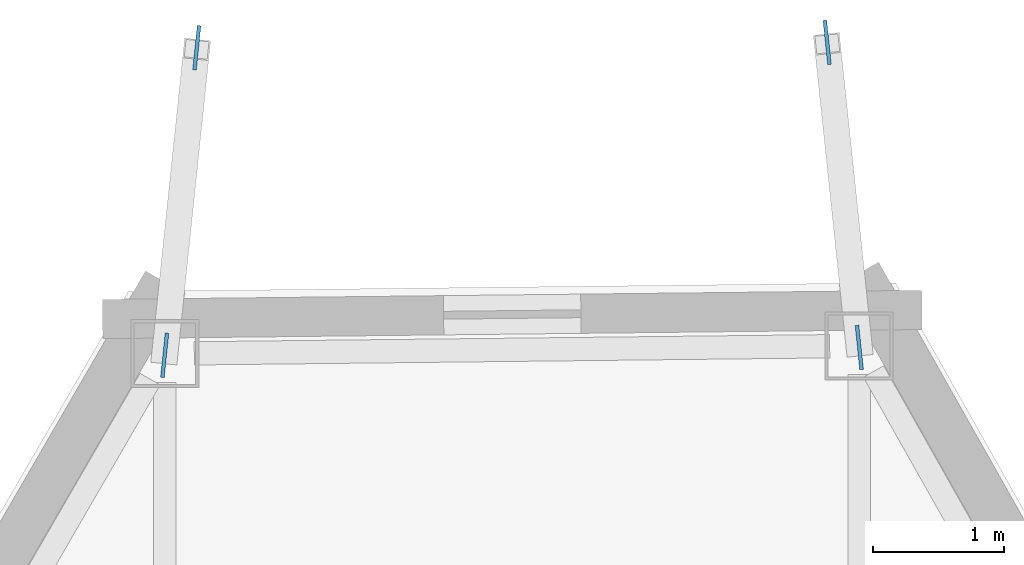
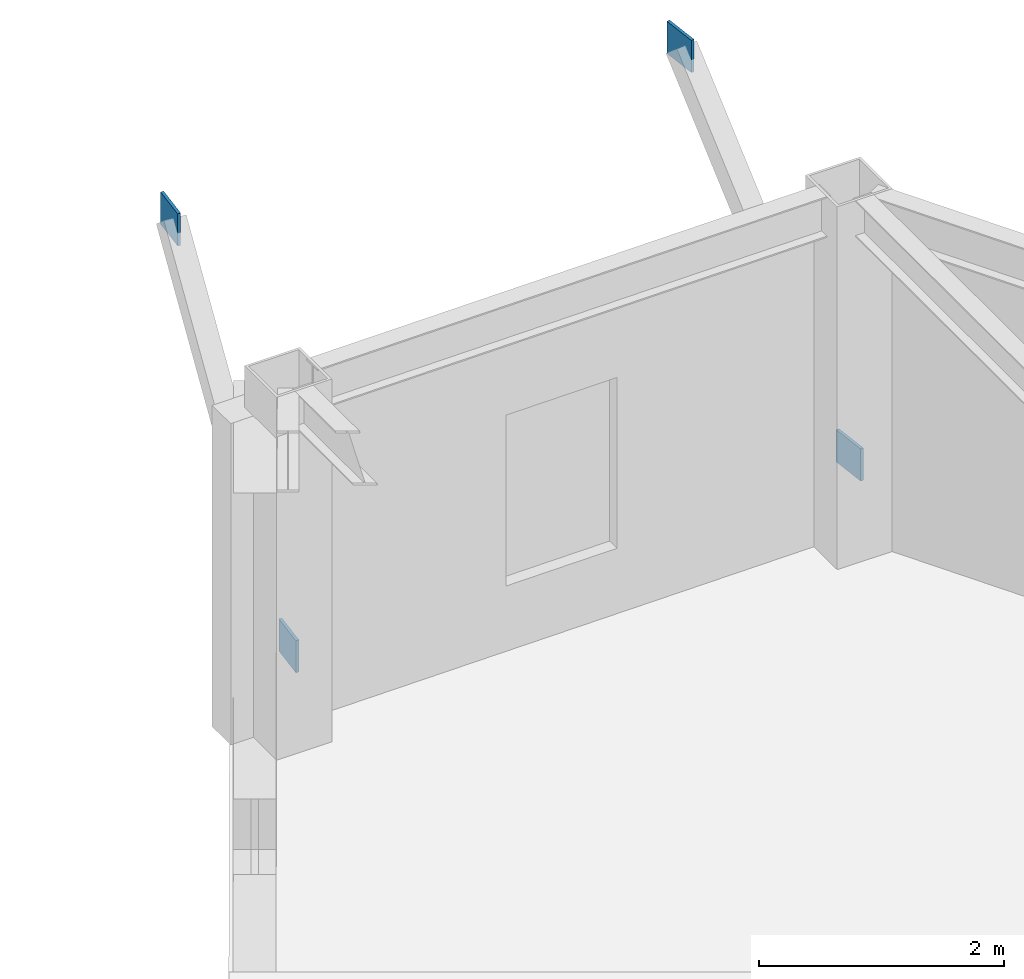
# One storey, part 5 of 10: 4 plates.
"""IFC4 building model written with IfcOpenShell, lengths in metres."""

import ifcopenshell
import ifcopenshell.guid

model = None  # the IFC model being written
_history = None  # IfcOwnerHistory: only IFC2X3 demands one
_inside = {}  # id of a spatial element -> (the spatial element, [elements in it])
_under = {}  # id of a project, library or spatial element -> (it, [spatial elements below it])
_declared = {}  # id of a project -> (the project, [libraries it declares])
_typed = {}  # id of a type object -> (the type object, [elements of that type])
_made_of = {}  # id of a material, layer set ... -> (it, [elements and type objects made of it])


def new_model(schema):
    """Start an empty IFC model of exactly this schema.

    Asked for "IFC4X3", IfcOpenShell would pick the latest addendum, in which some entities
    have other attributes; the version numbers below select the first issue.
    IFC2X3 requires an IfcOwnerHistory on every rooted entity: one is made here for all.
    """
    global model, _history
    if schema == "IFC4X3":
        model = ifcopenshell.file(schema_version=(4, 3, 0, 0))
    else:
        model = ifcopenshell.file(schema=schema)
    _inside.clear()
    _under.clear()
    _declared.clear()
    _typed.clear()
    _made_of.clear()
    _history = None
    if model.schema == "IFC2X3":
        org = make("IfcOrganization", Name="unknown")
        user = make(
            "IfcPersonAndOrganization",
            ThePerson=make("IfcPerson", FamilyName="unknown"),
            TheOrganization=org,
        )
        app = make(
            "IfcApplication",
            ApplicationDeveloper=org,
            Version="unknown",
            ApplicationFullName="unknown",
            ApplicationIdentifier="unknown",
        )
        _history = make(
            "IfcOwnerHistory",
            OwningUser=user,
            OwningApplication=app,
            ChangeAction="ADDED",
            CreationDate=0,
        )
    return model


def make(cls, **values):
    """One entity of the class cls with the attributes given. An attribute that is None is left unset."""
    return model.create_entity(
        cls, **{name: value for name, value in values.items() if value is not None}
    )


def rooted(cls, **values):
    """An entity with a GlobalId (a new one), such as an element, a storey or a relation."""
    return make(cls, GlobalId=ifcopenshell.guid.new(), OwnerHistory=_history, **values)


def si_unit(unit_type, name, prefix=None):
    """IfcSIUnit, for example si_unit("LENGTHUNIT", "METRE", prefix="MILLI")."""
    return make("IfcSIUnit", UnitType=unit_type, Prefix=prefix, Name=name)


def assignment(units):
    """IfcUnitAssignment: the units of a project."""
    return None if units is None else make("IfcUnitAssignment", Units=units)


def point(xyz):
    """IfcCartesianPoint."""
    return None if xyz is None else make("IfcCartesianPoint", Coordinates=xyz)


def direction(xyz):
    """IfcDirection."""
    return None if xyz is None else make("IfcDirection", DirectionRatios=xyz)


def frame(location, z_axis=None, x_axis=None):
    """IfcAxis2Placement3D, a coordinate frame: its origin and axes. An axis left out is left unset."""
    return make(
        "IfcAxis2Placement3D",
        Location=point(location),
        Axis=direction(z_axis),
        RefDirection=direction(x_axis),
    )


def frame_2d(location, x_axis=None):
    """IfcAxis2Placement2D, a coordinate frame in the plane: its origin and x axis."""
    return make(
        "IfcAxis2Placement2D", Location=point(location), RefDirection=direction(x_axis)
    )


def origin():
    """The frame at (0, 0, 0) with its axes left unset."""
    return frame((0.0, 0.0, 0.0))


def origin_2d():
    """The frame at (0, 0) in the plane with its x axis left unset."""
    return frame_2d((0.0, 0.0))


def place(relative_to, where):
    """IfcLocalPlacement: puts the frame where relative to a parent placement (None: the world)."""
    return make(
        "IfcLocalPlacement", PlacementRelTo=relative_to, RelativePlacement=where
    )


def context(
    kind, dimensions, precision=None, world=None, true_north=None, identifier=None
):
    """IfcGeometricRepresentationContext, for example the 3D "Model" context."""
    return make(
        "IfcGeometricRepresentationContext",
        ContextIdentifier=identifier,
        ContextType=kind,
        CoordinateSpaceDimension=dimensions,
        Precision=precision,
        WorldCoordinateSystem=world,
        TrueNorth=true_north,
    )


def subcontext(parent, identifier, kind, view, scale=None):
    """IfcGeometricRepresentationSubContext, for example "Body" below "Model"."""
    return make(
        "IfcGeometricRepresentationSubContext",
        ContextIdentifier=identifier,
        ContextType=kind,
        ParentContext=parent,
        TargetScale=scale,
        TargetView=view,
    )


def project(units=None, contexts=None):
    """IfcProject with its units and contexts."""
    return rooted(
        "IfcProject",
        Name="project",
        RepresentationContexts=contexts,
        UnitsInContext=assignment(units),
    )


def spatial(cls, under=None, at=None, **own):
    """A site, building, storey or space (cls), placed at a placement, below another one or the project."""
    s = rooted(cls, ObjectPlacement=at, **own)
    if under is not None:
        _under.setdefault(under.id(), (under, []))[1].append(s)
    return s


def profile(cls, at=None, kind="AREA", **sizes):
    """A parametric profile (cls). Its sizes go by their IFC names, for example OverallWidth=200.0."""
    return make(cls, ProfileType=kind, Position=at, **sizes)


def rectangle(**sizes):
    """IfcRectangleProfileDef."""
    return profile("IfcRectangleProfileDef", **sizes)


def extrude(swept, where, along, depth):
    """IfcExtrudedAreaSolid: the profile swept, set in the frame where, extruded along a direction by depth."""
    return make(
        "IfcExtrudedAreaSolid",
        SweptArea=swept,
        Position=where,
        ExtrudedDirection=direction(along),
        Depth=depth,
    )


def shape(context_of_items, identifier, shape_type, items):
    """IfcShapeRepresentation: the items that make up one representation, for example the "Body"."""
    return make(
        "IfcShapeRepresentation",
        ContextOfItems=context_of_items,
        RepresentationIdentifier=identifier,
        RepresentationType=shape_type,
        Items=items,
    )


def material(Name=None, Category=None):
    """IfcMaterial."""
    return make("IfcMaterial", Name=Name, Category=Category)


def layer(
    of_material, thickness, ventilated=None, Name=None, Category=None, Priority=None
):
    """IfcMaterialLayer: one layer of a wall or slab, of a material (None: an air gap)."""
    return make(
        "IfcMaterialLayer",
        Material=of_material,
        LayerThickness=thickness,
        IsVentilated=ventilated,
        Name=Name,
        Category=Category,
        Priority=Priority,
    )


def layer_set(layers, Name=None):
    """IfcMaterialLayerSet."""
    return make("IfcMaterialLayerSet", MaterialLayers=layers, LayerSetName=Name)


def made_of(thing, what):
    """Note that an element or type object is made of a material, layer set ...; save() writes the relation."""
    if what is not None:
        _made_of.setdefault(what.id(), (what, []))[1].append(thing)
    return thing


def type_object(cls, material=None, **own):
    """A type object (cls), such as IfcWallType, which elements share."""
    return made_of(rooted(cls, **own), material)


def element(
    cls,
    number,
    at=None,
    inside=None,
    cuts=None,
    type_object=None,
    material=None,
    context=None,
    identifier="Body",
    shape_type=None,
    held_by="IfcProductDefinitionShape",
    body=None,
    shapes=None,
    **own,
):
    """One element of the class cls, such as IfcWall. Its Tag is "e" and its number.

    at: its placement. inside: the storey or other place that contains it. cuts: it is an
    opening in that element (IfcRelVoidsElement). A single representation is given by context,
    identifier, shape_type and body (its items); several are given by shapes. held_by: the class
    of the entity that holds the representations. save() writes the other relations.
    """
    e = rooted(cls, Tag="e%d" % number, ObjectPlacement=at, **own)
    if body is not None:
        shapes = [shape(context, identifier, shape_type, body)]
    if shapes is not None:
        e.Representation = make(held_by, Representations=shapes)
    if inside is not None:
        _inside.setdefault(inside.id(), (inside, []))[1].append(e)
    if cuts is not None:
        rooted(
            "IfcRelVoidsElement", RelatingBuildingElement=cuts, RelatedOpeningElement=e
        )
    if type_object is not None:
        _typed.setdefault(type_object.id(), (type_object, []))[1].append(e)
    return made_of(e, material)


def aggregate(whole, parts):
    """IfcRelAggregates: a whole, such as a stair, and the parts it consists of."""
    return rooted("IfcRelAggregates", RelatingObject=whole, RelatedObjects=parts)


def save(model, path):
    """Write the relations noted so far, then the file.

    IfcRelAggregates (storeys below a building ...), IfcRelContainedInSpatialStructure (elements
    in a storey), IfcRelDefinesByType, IfcRelAssociatesMaterial and IfcRelDeclares: one each for
    every whole, place, type object, material and project.
    """
    for whole, parts in _under.values():
        aggregate(whole, parts)
    for where, things in _inside.values():
        rooted(
            "IfcRelContainedInSpatialStructure",
            RelatedElements=things,
            RelatingStructure=where,
        )
    for kind, things in _typed.values():
        rooted("IfcRelDefinesByType", RelatedObjects=things, RelatingType=kind)
    for what, things in _made_of.values():
        rooted("IfcRelAssociatesMaterial", RelatedObjects=things, RelatingMaterial=what)
    for by, libraries in _declared.values():
        rooted("IfcRelDeclares", RelatingContext=by, RelatedDefinitions=libraries)
    model.write(path)


model = new_model("IFC4")

# Units and contexts
model_context = context("Model", 3, precision=1e-05, world=origin(), true_north=direction((0.0, 1.0)))
body_context = subcontext(model_context, "Body", "Model", "MODEL_VIEW")
ifc_project = project(units=[si_unit("LENGTHUNIT", "METRE"), si_unit("AREAUNIT", "SQUARE_METRE"), si_unit("VOLUMEUNIT", "CUBIC_METRE"), si_unit("PLANEANGLEUNIT", "RADIAN"), si_unit("MASSUNIT", "GRAM", prefix="KILO")], contexts=[model_context])

# Site, building, storey
site_placement = place(None, origin())
site = spatial("IfcSite", under=ifc_project, at=site_placement, CompositionType="ELEMENT")
building_placement = place(site_placement, origin())
building = spatial("IfcBuilding", under=site, at=building_placement, Name="Kavelnor Concourse Tower", CompositionType="ELEMENT")
storey_placement = place(building_placement, frame((0.0, 0.0, 293.39990234375)))
storey = spatial("IfcBuildingStorey", under=building, at=storey_placement, Name="L74", CompositionType="ELEMENT", Elevation=293.39990234375)

# Plates
ifc_material = material(Name="Steel Grade 350", Category="steel")
ifc_layer = layer(ifc_material, 0.028076171875, Name="Steel Grade 350")
ifc_layer_set = layer_set([ifc_layer], Name="Steel Grade 350")
plate_type = type_object("IfcPlateType", Name="PL-GUSSET-FOLD", PredefinedType="USERDEFINED", material=ifc_layer_set)
for number, where, z_axis, x_axis, name in (
    (1, (40.599365234375, 43.91552734375, 0.740234375), (0.0, 0.0, 1.0), (-0.104528463268, 0.994521895368, 0.0), "L74 Terrace Strut Gusset GP4 C0-A End Gusset A"),
    (2, (40.353759765625, 46.249755859375, 3.47509765625), (0.0, 0.0, 1.0), (-0.104528463268, 0.994521895368, 0.0), "L74 Terrace Strut Gusset GP4 C0-A End Gusset B"),
    (3, (35.286865234375, 43.856201171875, 0.740234375), (0.0, 0.0, 1.0), (0.103834130589, 0.994594627637, 0.0), "L74 Terrace Strut Gusset GP4 C0-B End Gusset A"),
    (4, (35.5322265625, 46.2080078125, 3.47509765625), (0.0, 0.0, 1.0), (0.103834130589, 0.994594627637, 0.0), "L74 Terrace Strut Gusset GP4 C0-B End Gusset B"),
):
    element("IfcPlate", number, at=place(storey_placement, frame(where, z_axis=z_axis, x_axis=x_axis)), inside=storey, type_object=plate_type, Name=name, ObjectType="GUSSET_PLATE", PredefinedType="USERDEFINED", context=body_context, shape_type="SweptSolid", body=[
        extrude(rectangle(XDim=0.340087890625, YDim=0.028076171875, at=origin_2d()), origin(), (0.0, 0.0, 1.0), 0.320068359375),
    ])

save(model, "model.ifc")
